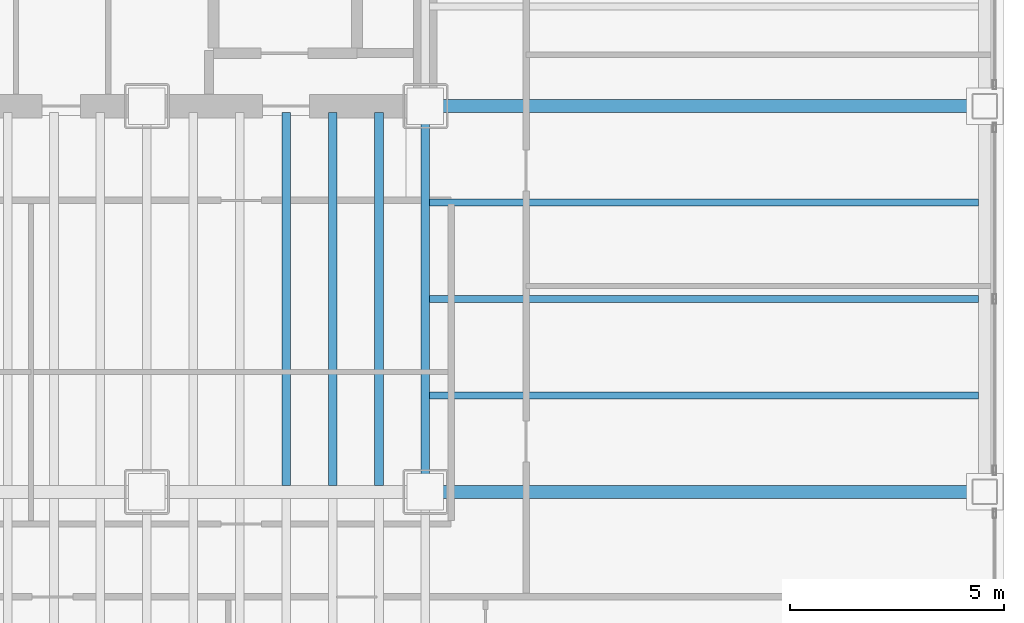
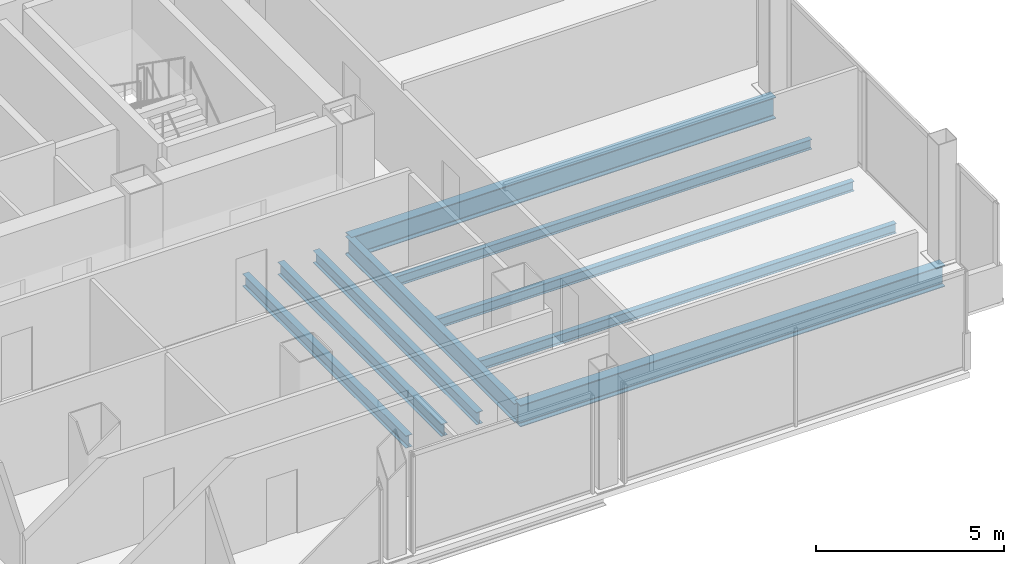
# One storey, part 9 of 20: 9 beams.
"""IFC4 building model written with IfcOpenShell, lengths in metres."""

from ifc_helpers import new_model, si_unit, direction, frame, origin, origin_2d, place, context, subcontext, project, spatial, i_section, extrude, material, material_profile, profile_set, type_object, element, save


model = new_model("IFC4")

# Units and contexts
model_context = context("Model", 3, precision=1e-05, world=origin(), true_north=direction((0.0, 1.0)))
body_context = subcontext(model_context, "Body", "Model", "MODEL_VIEW")
ifc_project = project(units=[si_unit("LENGTHUNIT", "METRE"), si_unit("AREAUNIT", "SQUARE_METRE"), si_unit("VOLUMEUNIT", "CUBIC_METRE"), si_unit("PLANEANGLEUNIT", "RADIAN"), si_unit("MASSUNIT", "GRAM", prefix="KILO")], contexts=[model_context])

# Site, building, storey
site_placement = place(None, origin())
site = spatial("IfcSite", under=ifc_project, at=site_placement, CompositionType="ELEMENT")
building_placement = place(site_placement, origin())
building = spatial("IfcBuilding", under=site, at=building_placement, Name="Noeulbin Bourse Tower", CompositionType="ELEMENT")
storey_placement = place(building_placement, frame((0.0, 0.0, 69.39990234375)))
storey = spatial("IfcBuildingStorey", under=building, at=storey_placement, Name="L17", CompositionType="ELEMENT", Elevation=69.39990234375)

# Beams
ifc_material = material(Name="Steel S355", Category="steel")
ifc_material_profile_1 = material_profile(ifc_material, i_section(OverallWidth=0.199951171875, OverallDepth=0.60009765625, WebThickness=0.010986328125, FlangeThickness=0.01708984375, FilletRadius=0.02197265625, at=origin_2d()), Name="H-600x200x11x17", Category="LoadBearing")
ifc_profile_set_1 = profile_set([ifc_material_profile_1], Name="Steel S355")
beam_type_1 = type_object("IfcBeamType", Name="BM-GRD-600", PredefinedType="USERDEFINED", material=ifc_profile_set_1)
beam_placement = place(storey_placement, frame((44.0, 20.0, -0.47998046875), z_axis=(0.0, 1.0, 0.0), x_axis=(-1.0, 0.0, 0.0)))
element("IfcBeam", 1, at=beam_placement, inside=storey, type_object=beam_type_1, Name="Tower Primary Girder NS L17-5.2", ObjectType="GIRDER", PredefinedType="USERDEFINED", context=body_context, shape_type="SweptSolid", body=[
    extrude(i_section(OverallWidth=0.199951171875, OverallDepth=0.60009765625, WebThickness=0.010986328125, FlangeThickness=0.01708984375, FilletRadius=0.02197265625, at=origin_2d()), origin(), (0.0, 0.0, 1.0), 9.0),
])
ifc_material_profile_2 = material_profile(ifc_material, i_section(OverallWidth=0.300048828125, OverallDepth=0.699951171875, WebThickness=0.012939453125, FlangeThickness=0.02392578125, FilletRadius=0.02392578125, at=origin_2d()), Name="H-700x300x13x24", Category="LoadBearing")
ifc_profile_set_2 = profile_set([ifc_material_profile_2], Name="Steel S355")
beam_type_2 = type_object("IfcBeamType", Name="BM-GRD-700", PredefinedType="USERDEFINED", material=ifc_profile_set_2)
for number, where, z_axis, x_axis, name in (
    (2, (44.0, 20.0, -0.52978515625), (1.0, 0.0, 0.0), (0.0, 1.0, 0.0), "Tower Primary Girder EW L17-1.6"),
    (3, (44.0, 29.0, -0.52978515625), (1.0, 0.0, 0.0), (0.0, 1.0, 0.0), "Tower Primary Girder EW L17-2.6"),
):
    element("IfcBeam", number, at=place(storey_placement, frame(where, z_axis=z_axis, x_axis=x_axis)), inside=storey, type_object=beam_type_2, Name=name, ObjectType="GIRDER", PredefinedType="USERDEFINED", context=body_context, shape_type="SweptSolid", body=[
        extrude(i_section(OverallWidth=0.300048828125, OverallDepth=0.699951171875, WebThickness=0.012939453125, FlangeThickness=0.02392578125, FilletRadius=0.02392578125, at=origin_2d()), origin(), (0.0, 0.0, 1.0), 13.050048828125),
    ])
ifc_material_profile_3 = material_profile(ifc_material, i_section(OverallWidth=0.159912109375, OverallDepth=0.320068359375, WebThickness=0.006591796875, FlangeThickness=0.010009765625, FilletRadius=0.012939453125, at=origin_2d()), Name="H-320x160x6.5x10", Category="LoadBearing")
ifc_profile_set_3 = profile_set([ifc_material_profile_3], Name="Steel S355")
beam_type_3 = type_object("IfcBeamType", Name="BM-JST-320", PredefinedType="JOIST", material=ifc_profile_set_3)
for number, where, z_axis, x_axis, name in (
    (4, (44.10009765625, 22.25, -0.33984375), (1.0, 0.0, 0.0), (0.0, 1.0, 0.0), "Wing Composite Joist L17-E76"),
    (5, (44.10009765625, 24.5, -0.33984375), (1.0, 0.0, 0.0), (0.0, 1.0, 0.0), "Wing Composite Joist L17-E77"),
    (6, (44.10009765625, 26.75, -0.33984375), (1.0, 0.0, 0.0), (0.0, 1.0, 0.0), "Wing Composite Joist L17-E78"),
):
    element("IfcBeam", number, at=place(storey_placement, frame(where, z_axis=z_axis, x_axis=x_axis)), inside=storey, type_object=beam_type_3, Name=name, PredefinedType="JOIST", context=body_context, shape_type="SweptSolid", body=[
        extrude(i_section(OverallWidth=0.159912109375, OverallDepth=0.320068359375, WebThickness=0.006591796875, FlangeThickness=0.010009765625, FilletRadius=0.012939453125, at=origin_2d()), origin(), (0.0, 0.0, 1.0), 12.7998046875),
    ])
ifc_material_profile_4 = material_profile(ifc_material, i_section(OverallWidth=0.199951171875, OverallDepth=0.39990234375, WebThickness=0.008056640625, FlangeThickness=0.012939453125, FilletRadius=0.01611328125, at=origin_2d()), Name="H-400x200x8x13", Category="LoadBearing")
ifc_profile_set_4 = profile_set([ifc_material_profile_4], Name="Steel S355")
beam_type_4 = type_object("IfcBeamType", Name="BM-SEC-400", PredefinedType="BEAM", material=ifc_profile_set_4)
for number, where, z_axis, x_axis, name in (
    (7, (40.75, 20.14990234375, -0.3798828125), (0.0, 1.0, 0.0), (-1.0, 0.0, 0.0), "Tower Composite Joist L17-62"),
    (8, (41.833251953125, 20.14990234375, -0.3798828125), (0.0, 1.0, 0.0), (-1.0, 0.0, 0.0), "Tower Composite Joist L17-65"),
    (9, (42.916748046875, 20.14990234375, -0.3798828125), (0.0, 1.0, 0.0), (-1.0, 0.0, 0.0), "Tower Composite Joist L17-68"),
):
    element("IfcBeam", number, at=place(storey_placement, frame(where, z_axis=z_axis, x_axis=x_axis)), inside=storey, type_object=beam_type_4, Name=name, PredefinedType="BEAM", context=body_context, shape_type="SweptSolid", body=[
        extrude(i_section(OverallWidth=0.199951171875, OverallDepth=0.39990234375, WebThickness=0.008056640625, FlangeThickness=0.012939453125, FilletRadius=0.01611328125, at=origin_2d()), origin(), (0.0, 0.0, 1.0), 8.7001953125),
    ])

save(model, "model.ifc")
